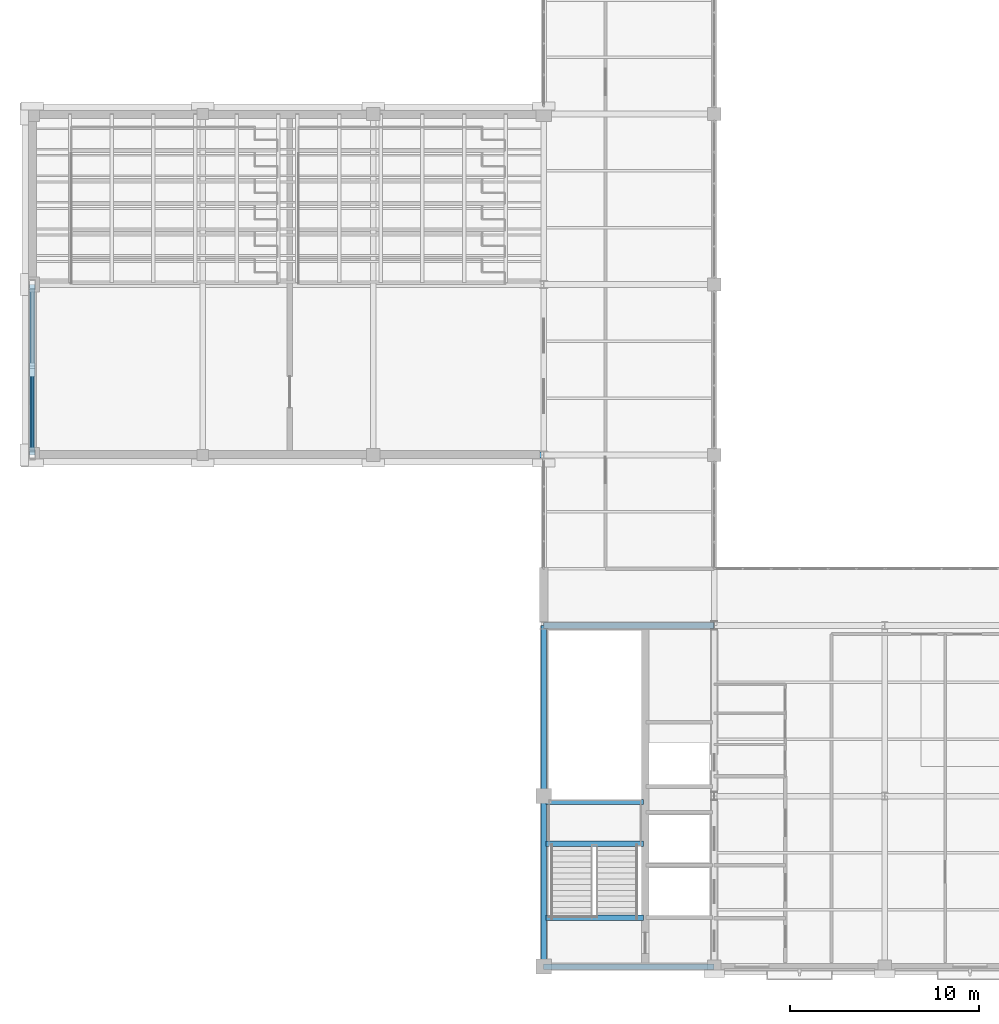
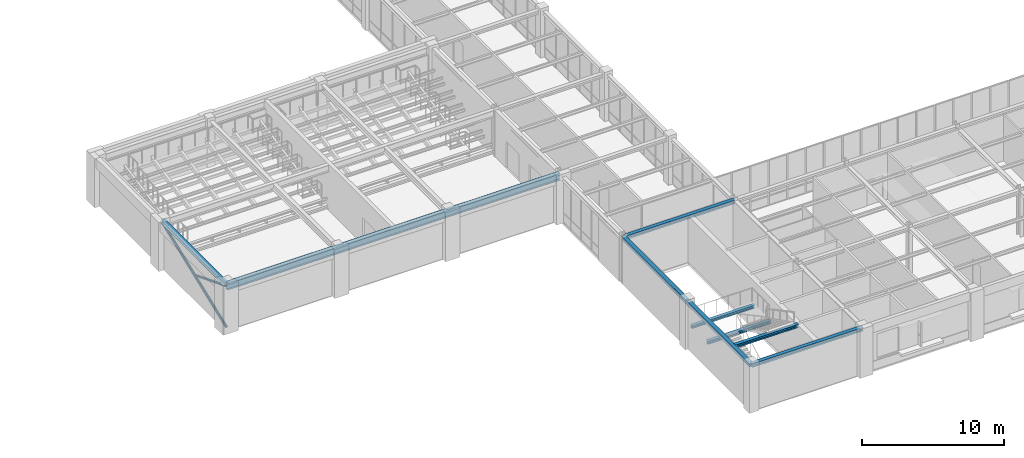
# One storey, part 15 of 130: 9 beams, 2 members.
"""IFC4 building model written with IfcOpenShell, lengths in metres."""

from ifc_helpers import new_model, si_unit, direction, frame, origin, origin_2d, place, context, subcontext, project, spatial, hollow_circle, i_section, extrude, material, material_profile, profile_set, type_object, element, save


model = new_model("IFC4")

# Units and contexts
model_context = context("Model", 3, precision=1e-05, world=origin(), true_north=direction((0.0, 1.0)))
body_context = subcontext(model_context, "Body", "Model", "MODEL_VIEW")
ifc_project = project(units=[si_unit("LENGTHUNIT", "METRE"), si_unit("AREAUNIT", "SQUARE_METRE"), si_unit("VOLUMEUNIT", "CUBIC_METRE"), si_unit("PLANEANGLEUNIT", "RADIAN"), si_unit("MASSUNIT", "GRAM", prefix="KILO")], contexts=[model_context])

# Site, building, storey
site_placement = place(None, origin())
site = spatial("IfcSite", under=ifc_project, at=site_placement, CompositionType="ELEMENT")
building_placement = place(site_placement, origin())
building = spatial("IfcBuilding", under=site, at=building_placement, Name="Lykobir Media Centre", CompositionType="ELEMENT")
storey_placement = place(building_placement, frame((0.0, 0.0, 19.199951171875)))
storey = spatial("IfcBuildingStorey", under=building, at=storey_placement, Name="L04", CompositionType="ELEMENT", Elevation=19.199951171875)

# Beams
ifc_material = material(Name="Steel S355", Category="steel")
ifc_material_profile_1 = material_profile(ifc_material, i_section(OverallWidth=0.300048828125, OverallDepth=0.60009765625, WebThickness=0.015380859375, FlangeThickness=0.030029296875, at=origin_2d()), Name="HEB 600")
ifc_profile_set_1 = profile_set([ifc_material_profile_1], Name="Steel S355")
beam_type_1 = type_object("IfcBeamType", Name="BM-HEB600", PredefinedType="BEAM", material=ifc_profile_set_1)
beam_1_placement = place(storey_placement, frame((0.0, 27.0, 3.650146484375), z_axis=(1.0, 0.0, 0.0), x_axis=(0.0, 1.0, 0.0)))
element("IfcBeam", 1, at=beam_1_placement, inside=storey, type_object=beam_type_1, Name="Beam BM-L04-0000-0270-0270-0270-2285", PredefinedType="BEAM", context=body_context, shape_type="SweptSolid", body=[
    extrude(i_section(OverallWidth=0.300048828125, OverallDepth=0.60009765625, WebThickness=0.015380859375, FlangeThickness=0.030029296875, at=origin_2d()), origin(), (0.0, 0.0, 1.0), 27.0),
])
ifc_material_profile_2 = material_profile(ifc_material, i_section(OverallWidth=0.260009765625, OverallDepth=0.25, WebThickness=0.007568359375, FlangeThickness=0.012451171875, at=origin_2d()), Name="HEA 260")
ifc_profile_set_2 = profile_set([ifc_material_profile_2], Name="Steel S355")
beam_type_2 = type_object("IfcBeamType", Name="BM-ST260", PredefinedType="BEAM", material=ifc_profile_set_2)
beam_2_placement = place(storey_placement, frame((27.1298828125, 8.679931640625, 1.780029296875), z_axis=(1.0, 0.0, 0.0), x_axis=(0.0, 1.0, 0.0)))
element("IfcBeam", 2, at=beam_2_placement, inside=storey, type_object=beam_type_2, Name="ST-1 L04 half-landing support beam", PredefinedType="BEAM", context=body_context, shape_type="SweptSolid", body=[
    extrude(i_section(OverallWidth=0.260009765625, OverallDepth=0.25, WebThickness=0.007568359375, FlangeThickness=0.012451171875, at=origin_2d()), origin(), (0.0, 0.0, 1.0), 5.14013671875),
])
ifc_material_profile_3 = material_profile(ifc_material, i_section(OverallWidth=0.280029296875, OverallDepth=0.27001953125, WebThickness=0.008056640625, FlangeThickness=0.012939453125, at=origin_2d()), Name="HEA 280")
ifc_profile_set_3 = profile_set([ifc_material_profile_3], Name="Steel S355")
beam_type_3 = type_object("IfcBeamType", Name="BM-ST280", PredefinedType="BEAM", material=ifc_profile_set_3)
for number, where, z_axis, x_axis, name in (
    (3, (27.1298828125, 2.580078125, 3.824951171875), (1.0, 0.0, 0.0), (0.0, 1.0, 0.0), "ST-1 L04 arrival trimmer beam"),
    (4, (27.1298828125, 6.47998046875, 1.77001953125), (1.0, 0.0, 0.0), (0.0, 1.0, 0.0), "ST-1 L04 mid-landing trimmer beam"),
):
    element("IfcBeam", number, at=place(storey_placement, frame(where, z_axis=z_axis, x_axis=x_axis)), inside=storey, type_object=beam_type_3, Name=name, PredefinedType="BEAM", context=body_context, shape_type="SweptSolid", body=[
        extrude(i_section(OverallWidth=0.280029296875, OverallDepth=0.27001953125, WebThickness=0.008056640625, FlangeThickness=0.012939453125, at=origin_2d()), origin(), (0.0, 0.0, 1.0), 5.14013671875),
    ])

# Members
ifc_material_profile_4 = material_profile(ifc_material, hollow_circle(Radius=0.096923828125, WallThickness=0.010009765625, at=origin_2d()), Name="CHS 193.7x10.0")
ifc_profile_set_4 = profile_set([ifc_material_profile_4], Name="Steel S355")
member_type_1 = type_object("IfcMemberType", Name="BR-CHS194-E", PredefinedType="BRACE", material=ifc_profile_set_4)
member_1_placement = place(storey_placement, frame((0.0, 31.35107421875, 1.938232421875), z_axis=(0.0, -0.931292884531, 0.364271276965), x_axis=(1.0, 0.0, 0.0)))
element("IfcMember", 5, at=member_1_placement, inside=storey, type_object=member_type_1, Name="Diagonal brace MEM2-L04-0000-0314-0211-0000-0270-0541", PredefinedType="BRACE", context=body_context, shape_type="SweptSolid", body=[
    extrude(hollow_circle(Radius=0.096923828125, WallThickness=0.010009765625, at=origin_2d()), origin(), (0.0, 0.0, 1.0), 4.672119140625),
])
ifc_material_profile_5 = material_profile(ifc_material, hollow_circle(Radius=0.109619140625, WallThickness=0.012451171875, at=origin_2d()), Name="CHS 219.1x12.5")
ifc_profile_set_5 = profile_set([ifc_material_profile_5], Name="Steel S355")
member_type_2 = type_object("IfcMemberType", Name="BR-CHS219-E", PredefinedType="BRACE", material=ifc_profile_set_5)
member_2_placement = place(storey_placement, frame((0.0, 27.0, 0.1201171875), z_axis=(0.0, 0.931303150145, 0.364245030892), x_axis=(-1.0, 0.0, 0.0)))
element("IfcMember", 6, at=member_2_placement, inside=storey, type_object=member_type_2, Name="Diagonal brace MEM2-L04-0000-0270-0193-0000-0360-0539", PredefinedType="BRACE", context=body_context, shape_type="SweptSolid", body=[
    extrude(hollow_circle(Radius=0.109619140625, WallThickness=0.012451171875, at=origin_2d()), origin(), (0.0, 0.0, 1.0), 9.663818359375),
])

# Beams
ifc_material_profile_6 = material_profile(ifc_material, i_section(OverallWidth=0.300048828125, OverallDepth=0.31005859375, WebThickness=0.009033203125, FlangeThickness=0.015380859375, at=origin_2d()), Name="HEA 320")
ifc_profile_set_6 = profile_set([ifc_material_profile_6], Name="Steel S355")
beam_type_4 = type_object("IfcBeamType", Name="SP-HEA320", PredefinedType="SPANDREL", material=ifc_profile_set_6)
for number, where, z_axis, x_axis, name in (
    (7, (27.0, 18.0, 3.804931640625), (1.0, 0.0, 0.0), (0.0, 1.0, 0.0), "Beam BM-L04-0270-0180-0360-0180-2300"),
    (8, (27.0, 0.0, 3.804931640625), (0.0, 1.0, 0.0), (-1.0, 0.0, 0.0), "Beam BM-L04-0270-0000-0270-0090-2300"),
    (9, (27.0, 9.0, 3.804931640625), (0.0, 1.0, 0.0), (-1.0, 0.0, 0.0), "Beam BM-L04-0270-0090-0270-0180-2300"),
):
    element("IfcBeam", number, at=place(storey_placement, frame(where, z_axis=z_axis, x_axis=x_axis)), inside=storey, type_object=beam_type_4, Name=name, PredefinedType="SPANDREL", context=body_context, shape_type="SweptSolid", body=[
        extrude(i_section(OverallWidth=0.300048828125, OverallDepth=0.31005859375, WebThickness=0.009033203125, FlangeThickness=0.015380859375, at=origin_2d()), origin(), (0.0, 0.0, 1.0), 9.0),
    ])
ifc_material_profile_7 = material_profile(ifc_material, i_section(OverallWidth=0.300048828125, OverallDepth=0.31005859375, WebThickness=0.009033203125, FlangeThickness=0.015380859375, at=origin_2d()), Name="HEA 320")
ifc_profile_set_7 = profile_set([ifc_material_profile_7], Name="Steel S355")
beam_type_5 = type_object("IfcBeamType", Name="SP-HEA320-E", PredefinedType="SPANDREL", material=ifc_profile_set_7)
for number, where, z_axis, x_axis, name in (
    (10, (27.0, 0.0, 3.804931640625), (1.0, 0.0, 0.0), (0.0, 1.0, 0.0), "Beam BM-L04-0270-0000-0360-0000-2300"),
    (11, (0.0, 27.0, 3.795166015625), (0.0, 1.0, 0.0), (-1.0, 0.0, 0.0), "Beam BM-L04-0000-0270-0000-0360-2300"),
):
    element("IfcBeam", number, at=place(storey_placement, frame(where, z_axis=z_axis, x_axis=x_axis)), inside=storey, type_object=beam_type_5, Name=name, PredefinedType="SPANDREL", context=body_context, shape_type="SweptSolid", body=[
        extrude(i_section(OverallWidth=0.300048828125, OverallDepth=0.31005859375, WebThickness=0.009033203125, FlangeThickness=0.015380859375, at=origin_2d()), origin(), (0.0, 0.0, 1.0), 9.0),
    ])

save(model, "model.ifc")
